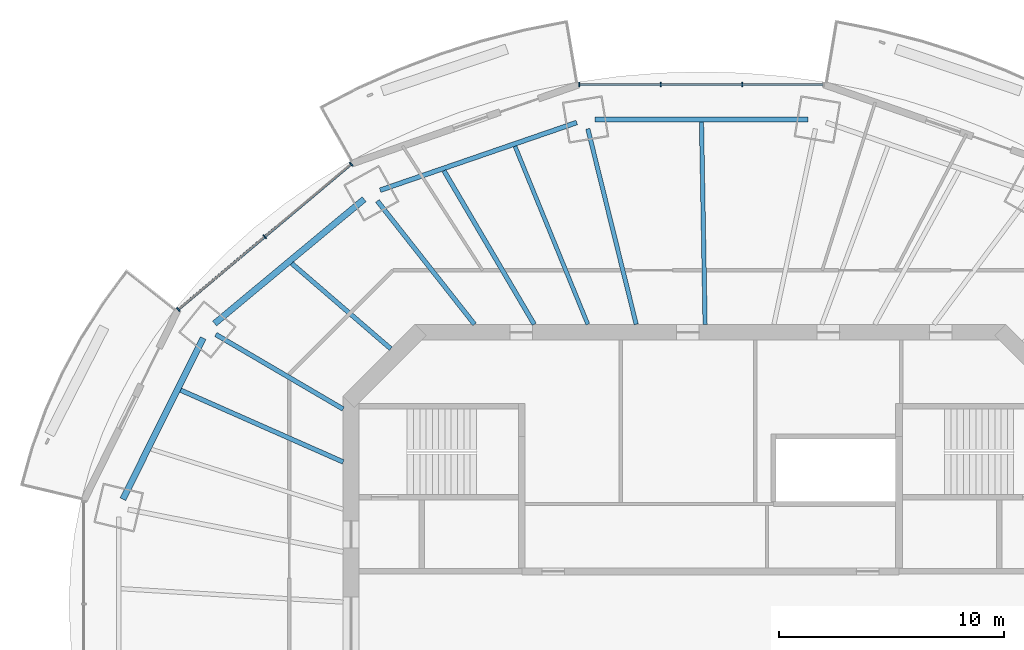
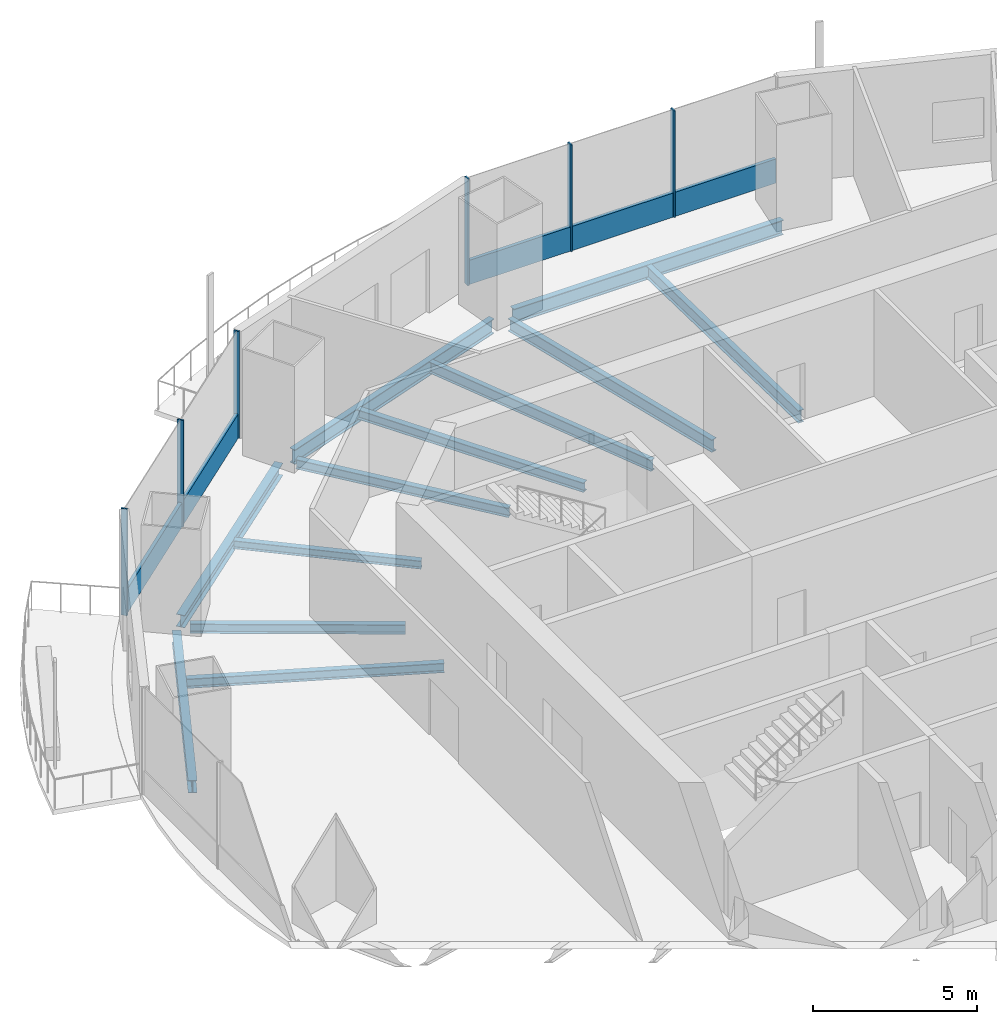
# One storey, part 5 of 16: 12 beams, 8 members, 2 elements without a shape of their own.
"""IFC4 building model written with IfcOpenShell, lengths in metres."""

from ifc_helpers import new_model, si_unit, direction, frame, origin, origin_2d, place, context, subcontext, project, spatial, rectangle, i_section, extrude, material, material_profile, profile_set, type_object, element, aggregate, save


model = new_model("IFC4")

# Units and contexts
model_context = context("Model", 3, precision=1e-05, world=origin(), true_north=direction((0.0, 1.0)))
body_context = subcontext(model_context, "Body", "Model", "MODEL_VIEW")
ifc_project = project(units=[si_unit("LENGTHUNIT", "METRE"), si_unit("AREAUNIT", "SQUARE_METRE"), si_unit("VOLUMEUNIT", "CUBIC_METRE"), si_unit("PLANEANGLEUNIT", "RADIAN"), si_unit("MASSUNIT", "GRAM", prefix="KILO")], contexts=[model_context])

# Site, building, storey
site_placement = place(None, origin())
site = spatial("IfcSite", under=ifc_project, at=site_placement, CompositionType="ELEMENT")
building_placement = place(site_placement, origin())
building = spatial("IfcBuilding", under=site, at=building_placement, Name="Marenthal Gate Tower", CompositionType="ELEMENT")
storey_placement = place(building_placement, frame((0.0, 0.0, 309.39990234375)))
storey = spatial("IfcBuildingStorey", under=building, at=storey_placement, Name="L69", CompositionType="ELEMENT", Elevation=309.39990234375)

# Curtain wall, members
ifc_material_1 = material(Name="Aluminium and glass", Category="aluminium")
curtain_wall_type = type_object("IfcCurtainWallType", Name="Curtain wall typical high", PredefinedType="NOTDEFINED", material=ifc_material_1)
curtain_wall_1_placement = place(storey_placement, origin())
curtain_wall_1 = element("IfcCurtainWall", 1, at=curtain_wall_1_placement, inside=storey, type_object=curtain_wall_type, Name="Curtain wall L69 bay 4", PredefinedType="NOTDEFINED")
ifc_material_2 = material(Name="Aluminium", Category="aluminium")
ifc_material_profile_1 = material_profile(ifc_material_2, rectangle(XDim=0.199951171875, YDim=0.06005859375, at=origin_2d()), Name="60x200 aluminium mullion")
ifc_profile_set_1 = profile_set([ifc_material_profile_1], Name="Aluminium")
member_type_1 = type_object("IfcMemberType", Name="Mullion 60x200 typical high", PredefinedType="MULLION", material=ifc_profile_set_1)
member_1_placement = place(storey_placement, frame((1.4130859375, 24.01904296875, 0.0), z_axis=(0.0, 0.0, 1.0), x_axis=(0.0, -1.0, 0.0)))
member_1 = element("IfcMember", 2, at=member_1_placement, type_object=member_type_1, Name="Mullion L69 bay 4.2", PredefinedType="MULLION", context=body_context, shape_type="SweptSolid", body=[
    extrude(rectangle(XDim=0.199951171875, YDim=0.06005859375, at=origin_2d()), origin(), (0.0, 0.0, 1.0), 3.97021484375),
])
member_2_placement = place(storey_placement, frame((-2.213134765625, 24.01904296875, 0.0), z_axis=(0.0, 0.0, 1.0), x_axis=(0.0, -1.0, 0.0)))
member_2 = element("IfcMember", 3, at=member_2_placement, type_object=member_type_1, Name="Mullion L69 bay 4.3", PredefinedType="MULLION", context=body_context, shape_type="SweptSolid", body=[
    extrude(rectangle(XDim=0.199951171875, YDim=0.06005859375, at=origin_2d()), origin(), (0.0, 0.0, 1.0), 3.97021484375),
])
member_3_placement = place(storey_placement, frame((-5.839111328125, 24.01904296875, 0.0), z_axis=(0.0, 0.0, 1.0), x_axis=(0.0, -1.0, 0.0)))
member_3 = element("IfcMember", 4, at=member_3_placement, type_object=member_type_1, Name="Mullion L69 bay 4.4", PredefinedType="MULLION", context=body_context, shape_type="SweptSolid", body=[
    extrude(rectangle(XDim=0.199951171875, YDim=0.06005859375, at=origin_2d()), origin(), (0.0, 0.0, 1.0), 3.97021484375),
])

curtain_wall_2_placement = place(storey_placement, origin())
curtain_wall_2 = element("IfcCurtainWall", 5, at=curtain_wall_2_placement, inside=storey, type_object=curtain_wall_type, Name="Curtain wall L69 bay 6", PredefinedType="NOTDEFINED")
member_4_placement = place(storey_placement, frame((-15.997802734375, 20.47998046875, 0.0), z_axis=(0.0, 0.0, 1.0), x_axis=(0.643570293048, -0.765387011848, 0.0)))
member_4 = element("IfcMember", 6, at=member_4_placement, type_object=member_type_1, Name="Mullion L69 bay 6.1", PredefinedType="MULLION", context=body_context, shape_type="SweptSolid", body=[
    extrude(rectangle(XDim=0.199951171875, YDim=0.06005859375, at=origin_2d()), origin(), (0.0, 0.0, 1.0), 3.97021484375),
])
member_5_placement = place(storey_placement, frame((-19.84228515625, 17.24755859375, 0.0), z_axis=(0.0, 0.0, 1.0), x_axis=(0.643570293048, -0.765387011848, 0.0)))
member_5 = element("IfcMember", 7, at=member_5_placement, type_object=member_type_1, Name="Mullion L69 bay 6.2", PredefinedType="MULLION", context=body_context, shape_type="SweptSolid", body=[
    extrude(rectangle(XDim=0.199951171875, YDim=0.06005859375, at=origin_2d()), origin(), (0.0, 0.0, 1.0), 3.97021484375),
])
member_6_placement = place(storey_placement, frame((-23.6865234375, 14.01513671875, 0.0), z_axis=(0.0, 0.0, 1.0), x_axis=(0.643570293048, -0.765387011848, 0.0)))
member_6 = element("IfcMember", 8, at=member_6_placement, type_object=member_type_1, Name="Mullion L69 bay 6.3", PredefinedType="MULLION", context=body_context, shape_type="SweptSolid", body=[
    extrude(rectangle(XDim=0.199951171875, YDim=0.06005859375, at=origin_2d()), origin(), (0.0, 0.0, 1.0), 3.97021484375),
])

# Member
ifc_material_3 = material(Name="Aluminium", Category="aluminium")
ifc_material_profile_2 = material_profile(ifc_material_3, rectangle(XDim=0.1201171875, YDim=0.89990234375, at=origin_2d()), Name="120x900 aluminium transom")
ifc_profile_set_2 = profile_set([ifc_material_profile_2], Name="Aluminium")
member_type_2 = type_object("IfcMemberType", Name="Transom 120x900 typical high", PredefinedType="USERDEFINED", material=ifc_profile_set_2)
member_7_placement = place(storey_placement, frame((5.00927734375, 24.01904296875, 0.4501953125), z_axis=(-1.0, 0.0, 0.0), x_axis=(0.0, -1.0, 0.0)))
member_7 = element("IfcMember", 9, at=member_7_placement, type_object=member_type_2, Name="Transom L69 bay 4", ObjectType="TRANSOM", PredefinedType="USERDEFINED", context=body_context, shape_type="SweptSolid", body=[
    extrude(rectangle(XDim=0.1201171875, YDim=0.89990234375, at=origin_2d()), origin(), (0.0, 0.0, 1.0), 10.818359375),
])

aggregate(curtain_wall_1, [member_1, member_2, member_3, member_7])

member_8_placement = place(storey_placement, frame((-16.020751953125, 20.460693359375, 0.4501953125), z_axis=(-0.765383983227, -0.643573894918, 0.0), x_axis=(0.643573894918, -0.765383983227, 0.0)))
member_8 = element("IfcMember", 10, at=member_8_placement, type_object=member_type_2, Name="Transom L69 bay 6", ObjectType="TRANSOM", PredefinedType="USERDEFINED", context=body_context, shape_type="SweptSolid", body=[
    extrude(rectangle(XDim=0.1201171875, YDim=0.89990234375, at=origin_2d()), origin(), (0.0, 0.0, 1.0), 9.9853515625),
])

aggregate(curtain_wall_2, [member_4, member_5, member_6, member_8])

# Beams
ifc_material_4 = material(Name="Steel S355", Category="steel")
ifc_material_profile_3 = material_profile(ifc_material_4, i_section(OverallWidth=0.202880859375, OverallDepth=0.302001953125, WebThickness=0.007568359375, FlangeThickness=0.01318359375, FilletRadius=0.0126953125, at=origin_2d()), Name="W310X60")
ifc_profile_set_3 = profile_set([ifc_material_profile_3], Name="Steel S355")
beam_type_1 = type_object("IfcBeamType", Name="W310X60 beam", PredefinedType="BEAM", material=ifc_profile_set_3)
beam_1_placement = place(storey_placement, frame((-18.63916015625, 16.0595703125, -0.330810546875), z_axis=(0.757583145565, -0.652738674782, 0.0), x_axis=(0.652738674782, 0.757583145565, 0.0)))
element("IfcBeam", 11, at=beam_1_placement, inside=storey, type_object=beam_type_1, Name="BM-L69-25", PredefinedType="BEAM", context=body_context, shape_type="SweptSolid", body=[
    extrude(i_section(OverallWidth=0.202880859375, OverallDepth=0.302001953125, WebThickness=0.007568359375, FlangeThickness=0.01318359375, FilletRadius=0.0126953125, at=origin_2d()), origin(), (0.0, 0.0, 1.0), 5.81689453125),
])
ifc_material_5 = material(Name="Steel S355", Category="steel")
ifc_material_profile_4 = material_profile(ifc_material_5, i_section(OverallWidth=0.205078125, OverallDepth=0.35302734375, WebThickness=0.009521484375, FlangeThickness=0.016845703125, FilletRadius=0.014892578125, at=origin_2d()), Name="W360X79")
ifc_profile_set_4 = profile_set([ifc_material_profile_4], Name="Steel S355")
beam_type_2 = type_object("IfcBeamType", Name="W360X79 beam", PredefinedType="BEAM", material=ifc_profile_set_4)
beam_2_placement = place(storey_placement, frame((-14.826904296875, 18.84228515625, -0.3564453125), z_axis=(0.618416886794, -0.785850210999, 0.0), x_axis=(0.785850210999, 0.618416886794, 0.0)))
element("IfcBeam", 12, at=beam_2_placement, inside=storey, type_object=beam_type_2, Name="BM-L69-06", PredefinedType="BEAM", context=body_context, shape_type="SweptSolid", body=[
    extrude(i_section(OverallWidth=0.205078125, OverallDepth=0.35302734375, WebThickness=0.009521484375, FlangeThickness=0.016845703125, FilletRadius=0.014892578125, at=origin_2d()), origin(), (0.0, 0.0, 1.0), 6.98876953125),
])
beam_3_placement = place(storey_placement, frame((-22.020263671875, 12.898193359375, -0.3564453125), z_axis=(0.86287063036, -0.505424846304, 0.0), x_axis=(0.505424846304, 0.86287063036, 0.0)))
element("IfcBeam", 13, at=beam_3_placement, inside=storey, type_object=beam_type_2, Name="BM-L69-07", PredefinedType="BEAM", context=body_context, shape_type="SweptSolid", body=[
    extrude(i_section(OverallWidth=0.205078125, OverallDepth=0.35302734375, WebThickness=0.009521484375, FlangeThickness=0.016845703125, FilletRadius=0.014892578125, at=origin_2d()), origin(), (0.0, 0.0, 1.0), 6.5712890625),
])
beam_4_placement = place(storey_placement, frame((-11.863525390625, 20.18701171875, -0.3564453125), z_axis=(0.506655469435, -0.862148615548, 0.0), x_axis=(0.862148615548, 0.506655469435, 0.0)))
element("IfcBeam", 14, at=beam_4_placement, inside=storey, type_object=beam_type_2, Name="BM-L69-24", PredefinedType="BEAM", context=body_context, shape_type="SweptSolid", body=[
    extrude(i_section(OverallWidth=0.205078125, OverallDepth=0.35302734375, WebThickness=0.009521484375, FlangeThickness=0.016845703125, FilletRadius=0.014892578125, at=origin_2d()), origin(), (0.0, 0.0, 1.0), 7.93017578125),
])
beam_5_placement = place(storey_placement, frame((-23.584716796875, 10.419189453125, -0.3564453125), z_axis=(0.914705445028, -0.404121205626, 0.0), x_axis=(0.404121205626, 0.914705445028, 0.0)))
element("IfcBeam", 15, at=beam_5_placement, inside=storey, type_object=beam_type_2, Name="BM-L69-26", PredefinedType="BEAM", context=body_context, shape_type="SweptSolid", body=[
    extrude(i_section(OverallWidth=0.205078125, OverallDepth=0.35302734375, WebThickness=0.009521484375, FlangeThickness=0.016845703125, FilletRadius=0.014892578125, at=origin_2d()), origin(), (0.0, 0.0, 1.0), 7.9091796875),
])
ifc_material_6 = material(Name="Steel S355", Category="steel")
ifc_material_profile_5 = material_profile(ifc_material_6, i_section(OverallWidth=0.180908203125, OverallDepth=0.4169921875, WebThickness=0.010986328125, FlangeThickness=0.018310546875, FilletRadius=0.01025390625, at=origin_2d()), Name="W410X85")
ifc_profile_set_5 = profile_set([ifc_material_profile_5], Name="Steel S355")
beam_type_3 = type_object("IfcBeamType", Name="W410X85 beam", PredefinedType="BEAM", material=ifc_profile_set_5)
beam_6_placement = place(storey_placement, frame((-8.699462890625, 21.276611328125, -0.388427734375), z_axis=(0.378462993646, -0.925616422953, 0.0), x_axis=(0.925616422953, 0.378462993646, 0.0)))
element("IfcBeam", 16, at=beam_6_placement, inside=storey, type_object=beam_type_3, Name="BM-L69-23", PredefinedType="BEAM", context=body_context, shape_type="SweptSolid", body=[
    extrude(i_section(OverallWidth=0.180908203125, OverallDepth=0.4169921875, WebThickness=0.010986328125, FlangeThickness=0.018310546875, FilletRadius=0.01025390625, at=origin_2d()), origin(), (0.0, 0.0, 1.0), 8.5634765625),
])
ifc_material_7 = material(Name="Steel S355", Category="steel")
ifc_material_profile_6 = material_profile(ifc_material_7, i_section(OverallWidth=0.279052734375, OverallDepth=0.4619140625, WebThickness=0.0107421875, FlangeThickness=0.017333984375, FilletRadius=0.010009765625, at=origin_2d()), Name="W460X113")
ifc_profile_set_6 = profile_set([ifc_material_profile_6], Name="Steel S355")
beam_type_4 = type_object("IfcBeamType", Name="W460X113 beam", PredefinedType="BEAM", material=ifc_profile_set_6)
beam_7_placement = place(storey_placement, frame((-15.4169921875, 18.919921875, -0.410888671875), z_axis=(-0.768962779386, -0.639293550662, 0.0), x_axis=(0.639293550662, -0.768962779386, 0.0)))
element("IfcBeam", 17, at=beam_7_placement, inside=storey, type_object=beam_type_4, Name="BM-L69-46", PredefinedType="BEAM", context=body_context, shape_type="SweptSolid", body=[
    extrude(i_section(OverallWidth=0.279052734375, OverallDepth=0.4619140625, WebThickness=0.0107421875, FlangeThickness=0.017333984375, FilletRadius=0.010009765625, at=origin_2d()), origin(), (0.0, 0.0, 1.0), 8.656982421875),
])
beam_8_placement = place(storey_placement, frame((-22.58349609375, 12.7412109375, -0.410888671875), z_axis=(-0.445957794183, -0.895053990443, 0.0), x_axis=(0.895053990443, -0.445957794183, 0.0)))
element("IfcBeam", 18, at=beam_8_placement, inside=storey, type_object=beam_type_4, Name="BM-L69-47", PredefinedType="BEAM", context=body_context, shape_type="SweptSolid", body=[
    extrude(i_section(OverallWidth=0.279052734375, OverallDepth=0.4619140625, WebThickness=0.0107421875, FlangeThickness=0.017333984375, FilletRadius=0.010009765625, at=origin_2d()), origin(), (0.0, 0.0, 1.0), 8.012451171875),
])
ifc_material_8 = material(Name="Steel S355", Category="steel")
ifc_material_profile_7 = material_profile(ifc_material_8, i_section(OverallWidth=0.193115234375, OverallDepth=0.467041015625, WebThickness=0.011474609375, FlangeThickness=0.01904296875, FilletRadius=0.010009765625, at=origin_2d()), Name="W460X97")
ifc_profile_set_7 = profile_set([ifc_material_profile_7], Name="Steel S355")
beam_type_5 = type_object("IfcBeamType", Name="W460X97 beam", PredefinedType="BEAM", material=ifc_profile_set_7)
beam_9_placement = place(storey_placement, frame((-5.4580078125, 22.05419921875, -0.413330078125), z_axis=(0.240228606672, -0.970716341954, 0.0), x_axis=(0.970716341954, 0.240228606672, 0.0)))
element("IfcBeam", 19, at=beam_9_placement, inside=storey, type_object=beam_type_5, Name="BM-L69-05", PredefinedType="BEAM", context=body_context, shape_type="SweptSolid", body=[
    extrude(i_section(OverallWidth=0.193115234375, OverallDepth=0.467041015625, WebThickness=0.011474609375, FlangeThickness=0.01904296875, FilletRadius=0.010009765625, at=origin_2d()), origin(), (0.0, 0.0, 1.0), 8.966796875),
])
beam_10_placement = place(storey_placement, frame((-0.398193359375, 22.36328125, -0.413330078125), z_axis=(0.017793379577, -0.99984168529, 0.0), x_axis=(0.99984168529, 0.017793379577, 0.0)))
element("IfcBeam", 20, at=beam_10_placement, inside=storey, type_object=beam_type_5, Name="BM-L69-22", PredefinedType="BEAM", context=body_context, shape_type="SweptSolid", body=[
    extrude(i_section(OverallWidth=0.193115234375, OverallDepth=0.467041015625, WebThickness=0.011474609375, FlangeThickness=0.01904296875, FilletRadius=0.010009765625, at=origin_2d()), origin(), (0.0, 0.0, 1.0), 9.0146484375),
])
ifc_material_9 = material(Name="Steel S355", Category="steel")
ifc_material_profile_8 = material_profile(ifc_material_9, i_section(OverallWidth=0.2119140625, OverallDepth=0.5439453125, WebThickness=0.01318359375, FlangeThickness=0.021240234375, FilletRadius=0.0126953125, at=origin_2d()), Name="W530X123")
ifc_profile_set_8 = profile_set([ifc_material_profile_8], Name="Steel S355")
beam_type_6 = type_object("IfcBeamType", Name="W530X123 beam", PredefinedType="BEAM", material=ifc_profile_set_8)
beam_11_placement = place(storey_placement, frame((4.3486328125, 22.469482421875, -0.451904296875), z_axis=(-1.0, 0.0, 0.0), x_axis=(0.0, -1.0, 0.0)))
element("IfcBeam", 21, at=beam_11_placement, inside=storey, type_object=beam_type_6, Name="BM-L69-44", PredefinedType="BEAM", context=body_context, shape_type="SweptSolid", body=[
    extrude(i_section(OverallWidth=0.2119140625, OverallDepth=0.5439453125, WebThickness=0.01318359375, FlangeThickness=0.021240234375, FilletRadius=0.0126953125, at=origin_2d()), origin(), (0.0, 0.0, 1.0), 9.497314453125),
])
beam_12_placement = place(storey_placement, frame((-5.951171875, 22.3349609375, -0.451904296875), z_axis=(-0.945520555147, -0.325562405377, 0.0), x_axis=(0.325562405377, -0.945520555147, 0.0)))
element("IfcBeam", 22, at=beam_12_placement, inside=storey, type_object=beam_type_6, Name="BM-L69-45", PredefinedType="BEAM", context=body_context, shape_type="SweptSolid", body=[
    extrude(i_section(OverallWidth=0.2119140625, OverallDepth=0.5439453125, WebThickness=0.01318359375, FlangeThickness=0.021240234375, FilletRadius=0.0126953125, at=origin_2d()), origin(), (0.0, 0.0, 1.0), 9.259033203125),
])

save(model, "model.ifc")
